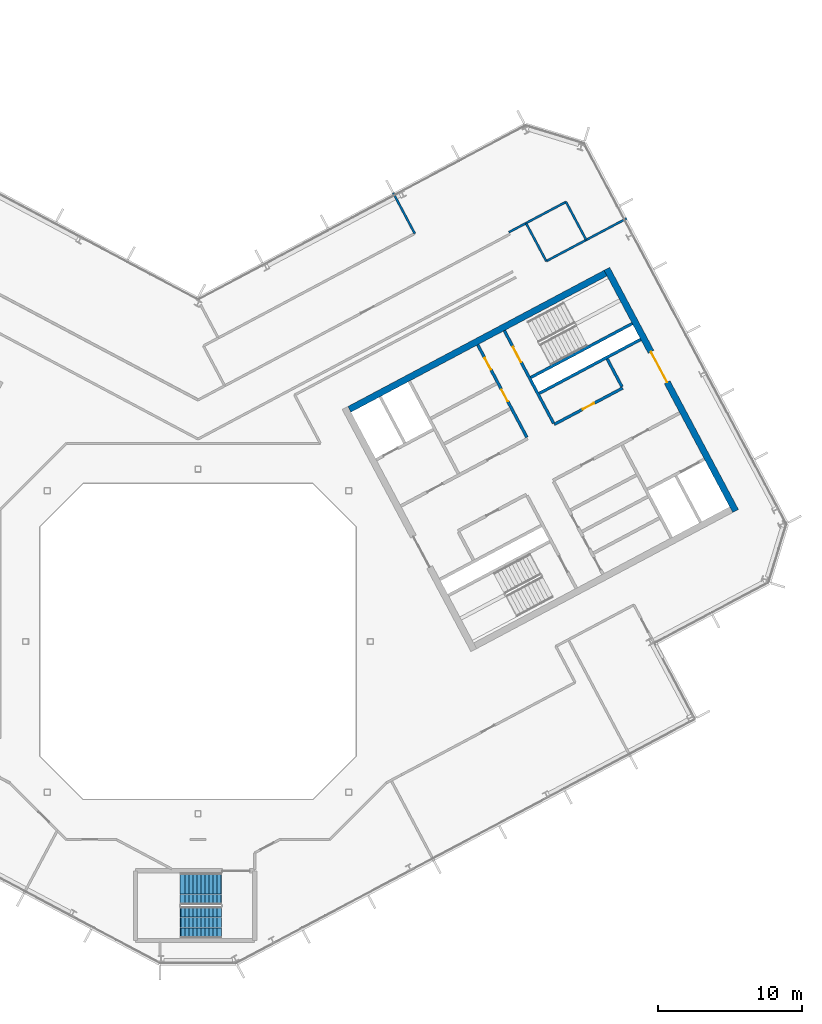
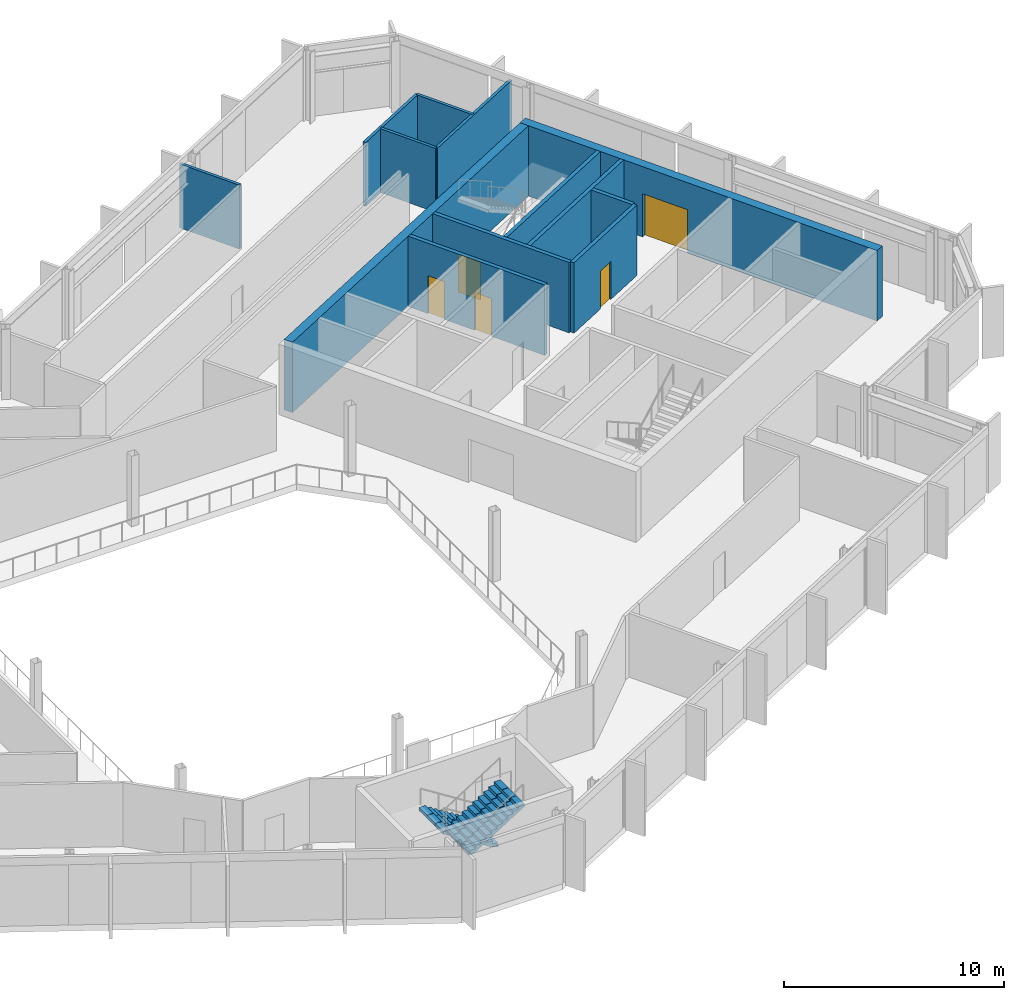
# One storey, part 17 of 26: 13 walls, 5 doors, 2 stair flights, 5 openings, 1 element without a shape of its own.
"""IFC4 building model written with IfcOpenShell, lengths in metres."""

from ifc_helpers import new_model, si_unit, direction, frame, frame_2d, origin, place, context, subcontext, project, spatial, polyline, rectangle, outline, extrude, material, layer, layer_set, type_object, element, fill, aggregate, save


model = new_model("IFC4")

# Units and contexts
model_context = context("Model", 3, precision=1e-05, world=origin(), true_north=direction((0.0, 1.0)))
body_context = subcontext(model_context, "Body", "Model", "MODEL_VIEW")
ifc_project = project(units=[si_unit("LENGTHUNIT", "METRE"), si_unit("AREAUNIT", "SQUARE_METRE"), si_unit("VOLUMEUNIT", "CUBIC_METRE"), si_unit("PLANEANGLEUNIT", "RADIAN"), si_unit("MASSUNIT", "GRAM", prefix="KILO")], contexts=[model_context])

# Site, building, storey
site_placement = place(None, origin())
site = spatial("IfcSite", under=ifc_project, at=site_placement, CompositionType="ELEMENT")
building_placement = place(site_placement, origin())
building = spatial("IfcBuilding", under=site, at=building_placement, Name="Cormorant Relay Tower", CompositionType="ELEMENT")
storey_placement = place(building_placement, frame((0.0, 0.0, 285.300048828125)))
storey = spatial("IfcBuildingStorey", under=building, at=storey_placement, Name="L64", CompositionType="ELEMENT", Elevation=285.300048828125)

# Wall, openings, doors
ifc_material_1 = material(Name="Concrete 50 MPa", Category="concrete")
ifc_layer_1 = layer(ifc_material_1, 0.199951171875)
ifc_layer_set_1 = layer_set([ifc_layer_1], Name="Core shaft wall 200")
wall_type_1 = type_object("IfcWallType", Name="Core shaft wall 200", PredefinedType="SHEAR", material=ifc_layer_set_1)
wall_1_placement = place(storey_placement, frame((22.90625, 14.218017578125, 0.0), z_axis=(0.0, 0.0, 1.0), x_axis=(-0.469480409012, 0.88294288918, 0.0)))
wall_1 = element("IfcWall", 1, at=wall_1_placement, inside=storey, type_object=wall_type_1, Name="L64 core B shaft wall", PredefinedType="SHEAR", context=body_context, shape_type="SweptSolid", body=[
    extrude(rectangle(XDim=7.300048828125, YDim=0.199951171875, at=frame_2d((3.64990234375, 0.0))), origin(), (0.0, 0.0, 1.0), 3.89990234375),
])
opening_1_placement = place(wall_1_placement, frame((2.85009765625, 0.0, 0.0)))
opening_1 = element("IfcOpeningElement", 2, at=opening_1_placement, cuts=wall_1, Name="Opening CDD-299", PredefinedType="OPENING", context=body_context, shape_type="SweptSolid", body=[
    extrude(rectangle(XDim=0.89990234375, YDim=2.10009765625, at=frame_2d((0.449951171875, 1.050048828125))), frame((0.0, 0.10986328125, 0.0), z_axis=(0.0, -1.0, 0.0), x_axis=(1.0, 0.0, 0.0)), (0.0, 0.0, 1.0), 0.219970703125),
])
opening_2_placement = place(wall_1_placement, frame((5.35009765625, 0.0, 0.0)))
opening_2 = element("IfcOpeningElement", 3, at=opening_2_placement, cuts=wall_1, Name="Opening CDD-333", PredefinedType="OPENING", context=body_context, shape_type="SweptSolid", body=[
    extrude(rectangle(XDim=0.89990234375, YDim=2.10009765625, at=frame_2d((0.449951171875, 1.050048828125))), frame((0.0, 0.10986328125, 0.0), z_axis=(0.0, -1.0, 0.0), x_axis=(1.0, 0.0, 0.0)), (0.0, 0.0, 1.0), 0.219970703125),
])
ifc_material_2 = material(Name="Steel fire door", Category="steel")
door_type_1 = type_object("IfcDoorType", Name="Core room door 900x2100", OperationType="SINGLE_SWING_LEFT", PredefinedType="DOOR", material=ifc_material_2)
door_1_placement = place(opening_1_placement, origin())
door_1 = element("IfcDoor", 4, at=door_1_placement, inside=storey, type_object=door_type_1, Name="Core room door 900x2100", OperationType="SINGLE_SWING_RIGHT", OverallHeight=2.10009765625, OverallWidth=0.89990234375, PredefinedType="DOOR", context=body_context, shape_type="SweptSolid", body=[
    extrude(rectangle(XDim=0.89990234375, YDim=2.10009765625, at=frame_2d((0.449951171875, 1.050048828125))), frame((0.0, 0.02490234375, 0.0), z_axis=(0.0, -1.0, 0.0), x_axis=(1.0, 0.0, 0.0)), (0.0, 0.0, 1.0), 0.050048828125),
])
fill(opening_1, door_1)
door_2_placement = place(opening_2_placement, origin())
door_2 = element("IfcDoor", 5, at=door_2_placement, inside=storey, type_object=door_type_1, Name="Core room door 900x2100", OperationType="SINGLE_SWING_LEFT", OverallHeight=2.10009765625, OverallWidth=0.89990234375, PredefinedType="DOOR", context=body_context, shape_type="SweptSolid", body=[
    extrude(rectangle(XDim=0.89990234375, YDim=2.10009765625, at=frame_2d((0.449951171875, 1.050048828125))), frame((0.0, 0.02490234375, 0.0), z_axis=(0.0, -1.0, 0.0), x_axis=(1.0, 0.0, 0.0)), (0.0, 0.0, 1.0), 0.050048828125),
])
fill(opening_2, door_2)

# Wall, opening, door
wall_2_placement = place(storey_placement, frame((24.760498046875, 15.2041015625, 0.0), z_axis=(0.0, 0.0, 1.0), x_axis=(-0.469494272526, 0.882935517501, 0.0)))
wall_2 = element("IfcWall", 6, at=wall_2_placement, inside=storey, type_object=wall_type_1, Name="L64 core B shaft wall", PredefinedType="SHEAR", context=body_context, shape_type="SweptSolid", body=[
    extrude(rectangle(XDim=7.2998046875, YDim=0.199951171875, at=frame_2d((3.64990234375, 0.0))), origin(), (0.0, 0.0, 1.0), 3.89990234375),
])
opening_3_placement = place(wall_2_placement, frame((4.800048828125, 0.0, 0.0)))
opening_3 = element("IfcOpeningElement", 7, at=opening_3_placement, cuts=wall_2, Name="Opening CDB-041", PredefinedType="OPENING", context=body_context, shape_type="SweptSolid", body=[
    extrude(rectangle(XDim=1.199951171875, YDim=2.10009765625, at=frame_2d((0.60009765625, 1.050048828125))), frame((0.0, 0.10986328125, 0.0), z_axis=(0.0, -1.0, 0.0), x_axis=(1.0, 0.0, 0.0)), (0.0, 0.0, 1.0), 0.219970703125),
])
ifc_material_3 = material(Name="Steel fire door", Category="steel")
door_type_2 = type_object("IfcDoorType", Name="Core stair door 1200x2100", OperationType="SINGLE_SWING_LEFT", PredefinedType="DOOR", material=ifc_material_3)
door_3_placement = place(opening_3_placement, frame((1.199951171875, 0.0, 0.0), z_axis=(0.0, 0.0, 1.0), x_axis=(-1.0, 0.0, 0.0)))
door_3 = element("IfcDoor", 8, at=door_3_placement, inside=storey, type_object=door_type_2, Name="Core stair door 1200x2100", OperationType="SINGLE_SWING_RIGHT", OverallHeight=2.10009765625, OverallWidth=1.199951171875, PredefinedType="DOOR", context=body_context, shape_type="SweptSolid", body=[
    extrude(rectangle(XDim=1.199951171875, YDim=2.10009765625, at=frame_2d((0.60009765625, 1.050048828125))), frame((0.0, 0.02490234375, 0.0), z_axis=(0.0, -1.0, 0.0), x_axis=(1.0, 0.0, 0.0)), (0.0, 0.0, 1.0), 0.050048828125),
])
fill(opening_3, door_3)

# Wall
wall_3_placement = place(storey_placement, frame((29.5283203125, 17.739013671875, 0.0), z_axis=(0.0, 0.0, 1.0), x_axis=(-0.469401318492, 0.882984938828, 0.0)))
element("IfcWall", 9, at=wall_3_placement, inside=storey, type_object=wall_type_1, Name="L64 core B shaft wall", PredefinedType="SHEAR", context=body_context, shape_type="SweptSolid", body=[
    extrude(rectangle(XDim=2.199951171875, YDim=0.199951171875, at=frame_2d((1.10009765625, 0.0))), origin(), (0.0, 0.0, 1.0), 3.89990234375),
])

# Wall, opening, door
wall_4_placement = place(storey_placement, frame((24.807373046875, 15.11572265625, 0.0), z_axis=(0.0, 0.0, 1.0), x_axis=(0.882942972946, 0.469480251476, 0.0)))
wall_4 = element("IfcWall", 10, at=wall_4_placement, inside=storey, type_object=wall_type_1, Name="L64 core B shaft wall", PredefinedType="SHEAR", context=body_context, shape_type="SweptSolid", body=[
    extrude(rectangle(XDim=5.39990234375, YDim=0.199951171875, at=frame_2d((2.699951171875, 0.0))), origin(), (0.0, 0.0, 1.0), 3.89990234375),
])
opening_4_placement = place(wall_4_placement, frame((2.25, 0.0, 0.0)))
opening_4 = element("IfcOpeningElement", 11, at=opening_4_placement, cuts=wall_4, Name="Opening CDD-261", PredefinedType="OPENING", context=body_context, shape_type="SweptSolid", body=[
    extrude(rectangle(XDim=0.89990234375, YDim=2.10009765625, at=frame_2d((0.449951171875, 1.050048828125))), frame((0.0, 0.10986328125, 0.0), z_axis=(0.0, -1.0, 0.0), x_axis=(1.0, 0.0, 0.0)), (0.0, 0.0, 1.0), 0.219970703125),
])
door_4_placement = place(opening_4_placement, origin())
door_4 = element("IfcDoor", 12, at=door_4_placement, inside=storey, type_object=door_type_1, Name="Core room door 900x2100", OperationType="SINGLE_SWING_LEFT", OverallHeight=2.10009765625, OverallWidth=0.89990234375, PredefinedType="DOOR", context=body_context, shape_type="SweptSolid", body=[
    extrude(rectangle(XDim=0.89990234375, YDim=2.10009765625, at=frame_2d((0.449951171875, 1.050048828125))), frame((0.0, 0.02490234375, 0.0), z_axis=(0.0, -1.0, 0.0), x_axis=(1.0, 0.0, 0.0)), (0.0, 0.0, 1.0), 0.050048828125),
])
fill(opening_4, door_4)

# Walls
wall_5_placement = place(storey_placement, frame((23.76904296875, 17.28173828125, 0.0), z_axis=(0.0, 0.0, 1.0), x_axis=(0.882940221191, 0.469485426614, 0.0)))
element("IfcWall", 13, at=wall_5_placement, inside=storey, type_object=wall_type_1, Name="L64 core B shaft wall", PredefinedType="SHEAR", context=body_context, shape_type="SweptSolid", body=[
    extrude(rectangle(XDim=8.0, YDim=0.199951171875, at=frame_2d((4.0, 0.0))), origin(), (0.0, 0.0, 1.0), 3.89990234375),
])
wall_6_placement = place(storey_placement, frame((23.18212890625, 18.385498046875, 0.0), z_axis=(0.0, 0.0, 1.0), x_axis=(0.88295287151, 0.469461634952, 0.0)))
element("IfcWall", 14, at=wall_6_placement, inside=storey, type_object=wall_type_1, Name="L64 core B shaft wall", PredefinedType="SHEAR", context=body_context, shape_type="SweptSolid", body=[
    extrude(rectangle(XDim=7.999755859375, YDim=0.199951171875, at=frame_2d((4.0, 0.0))), origin(), (0.0, 0.0, 1.0), 3.89990234375),
])

# Wall, opening, door
ifc_material_4 = material(Name="Concrete 50 MPa", Category="concrete")
ifc_layer_2 = layer(ifc_material_4, 0.449951171875)
ifc_layer_set_2 = layer_set([ifc_layer_2], Name="Core wall 450")
wall_type_2 = type_object("IfcWallType", Name="Core wall 450", PredefinedType="SHEAR", material=ifc_layer_set_2)
wall_7_placement = place(storey_placement, frame((37.439453125, 9.0908203125, 0.0), z_axis=(0.0, 0.0, 1.0), x_axis=(-0.469467968382, 0.882949504028, 0.0)))
wall_7 = element("IfcWall", 15, at=wall_7_placement, inside=storey, type_object=wall_type_2, Name="L64 core B wall", PredefinedType="SHEAR", context=body_context, shape_type="SweptSolid", body=[
    extrude(rectangle(XDim=19.099853515625, YDim=0.449951171875, at=frame_2d((9.5498046875, 0.0))), origin(), (0.0, 0.0, 1.0), 3.89990234375),
])
opening_5_placement = place(wall_7_placement, frame((10.14990234375, 0.0, 0.0)))
opening_5 = element("IfcOpeningElement", 16, at=opening_5_placement, cuts=wall_7, Name="Opening CDA-053", PredefinedType="OPENING", context=body_context, shape_type="SweptSolid", body=[
    extrude(rectangle(XDim=2.39990234375, YDim=2.39990234375, at=frame_2d((1.199951171875, 1.199951171875))), frame((0.0, 0.23486328125, 0.0), z_axis=(0.0, -1.0, 0.0), x_axis=(1.0, 0.0, 0.0)), (0.0, 0.0, 1.0), 0.469970703125),
])
ifc_material_5 = material(Name="Steel fire door", Category="steel")
door_type_3 = type_object("IfcDoorType", Name="Core lobby door 2400x2400", OperationType="DOUBLE_DOOR_SINGLE_SWING", PredefinedType="DOOR", material=ifc_material_5)
door_5_placement = place(opening_5_placement, origin())
door_5 = element("IfcDoor", 17, at=door_5_placement, inside=storey, type_object=door_type_3, Name="Core lobby door 2400x2400", OperationType="DOUBLE_DOOR_SINGLE_SWING", OverallHeight=2.39990234375, OverallWidth=2.39990234375, PredefinedType="DOOR", context=body_context, shape_type="SweptSolid", body=[
    extrude(rectangle(XDim=2.39990234375, YDim=2.39990234375, at=frame_2d((1.199951171875, 1.199951171875))), frame((0.0, 0.02490234375, 0.0), z_axis=(0.0, -1.0, 0.0), x_axis=(1.0, 0.0, 0.0)), (0.0, 0.0, 1.0), 0.050048828125),
])
fill(opening_5, door_5)

# Walls
wall_8_placement = place(storey_placement, frame((10.5439453125, 16.16748046875, 0.0), z_axis=(0.0, 0.0, 1.0), x_axis=(0.882947755831, 0.46947125628, 0.0)))
element("IfcWall", 18, at=wall_8_placement, inside=storey, type_object=wall_type_2, Name="L64 core B wall", PredefinedType="SHEAR", context=body_context, shape_type="SweptSolid", body=[
    extrude(rectangle(XDim=20.2001953125, YDim=0.449951171875, at=frame_2d((10.10009765625, 0.0))), origin(), (0.0, 0.0, 1.0), 3.89990234375),
])
ifc_material_6 = material(Name="Gypsum board fire partition")
ifc_layer_3 = layer(ifc_material_6, 0.14990234375)
ifc_layer_set_3 = layer_set([ifc_layer_3], Name="Corridor partition 150 EI 60")
wall_type_3 = type_object("IfcWallType", Name="Corridor partition 150 EI 60", PredefinedType="PARTITIONING", material=ifc_layer_set_3)
wall_9_placement = place(storey_placement, frame((22.85693359375, 29.114013671875, 0.0), z_axis=(0.0, 0.0, 1.0), x_axis=(0.469523155086, -0.882920158813, 0.0)))
element("IfcWall", 19, at=wall_9_placement, inside=storey, type_object=wall_type_3, Name="wall/L64/part/065", PredefinedType="PARTITIONING", context=body_context, shape_type="SweptSolid", body=[
    extrude(rectangle(XDim=2.975341796875, YDim=0.14990234375, at=frame_2d((1.48779296875, 0.0))), origin(), (0.0, 0.0, 1.0), 3.5400390625),
])
wall_10_placement = place(storey_placement, frame((24.25390625, 26.487060546875, 0.0), z_axis=(0.0, 0.0, 1.0), x_axis=(0.882975806835, 0.469418496167, 0.0)))
element("IfcWall", 20, at=wall_10_placement, inside=storey, type_object=wall_type_3, Name="wall/L64/part/066", PredefinedType="PARTITIONING", context=body_context, shape_type="SweptSolid", body=[
    extrude(rectangle(XDim=6.350341796875, YDim=0.14990234375, at=frame_2d((3.17529296875, 0.0))), origin(), (0.0, 0.0, 1.0), 3.5400390625),
])
ifc_material_7 = material(Name="Gypsum board partition")
ifc_layer_4 = layer(ifc_material_7, 0.14990234375)
ifc_layer_set_4 = layer_set([ifc_layer_4], Name="Tenant partition 150")
wall_type_4 = type_object("IfcWallType", Name="Tenant partition 150", PredefinedType="PARTITIONING", material=ifc_layer_set_4)
wall_11_placement = place(storey_placement, frame((15.094970703125, 28.412109375, 0.0), z_axis=(0.0, 0.0, 1.0), x_axis=(-0.469320691295, 0.883027796121, 0.0)))
element("IfcWall", 21, at=wall_11_placement, inside=storey, type_object=wall_type_4, Name="wall/L64/part/055", PredefinedType="PARTITIONING", context=body_context, shape_type="SweptSolid", body=[
    extrude(rectangle(XDim=3.2001953125, YDim=0.14990234375, at=frame_2d((1.60009765625, 0.0))), origin(), (0.0, 0.0, 1.0), 3.5400390625),
])
wall_12_placement = place(storey_placement, frame((27.034912109375, 27.966064453125, 0.0), z_axis=(0.0, 0.0, 1.0), x_axis=(-0.469341661158, 0.883016650523, 0.0)))
element("IfcWall", 22, at=wall_12_placement, inside=storey, type_object=wall_type_4, Name="wall/L64/part/067", PredefinedType="PARTITIONING", context=body_context, shape_type="SweptSolid", body=[
    extrude(rectangle(XDim=2.999755859375, YDim=0.14990234375, at=frame_2d((1.5, 0.0))), origin(), (0.0, 0.0, 1.0), 3.5400390625),
])
wall_13_placement = place(storey_placement, frame((25.626953125, 30.614990234375, 0.0), z_axis=(0.0, 0.0, 1.0), x_axis=(-0.882933661484, -0.469497762954, 0.0)))
element("IfcWall", 23, at=wall_13_placement, inside=storey, type_object=wall_type_4, Name="wall/L64/part/068", PredefinedType="PARTITIONING", context=body_context, shape_type="SweptSolid", body=[
    extrude(rectangle(XDim=4.49853515625, YDim=0.14990234375, at=frame_2d((2.249267578125, 0.0))), origin(), (0.0, 0.0, 1.0), 3.5400390625),
])

# Stair, stair flights
ifc_material_8 = material(Name="Concrete 40 MPa", Category="concrete")
stair_type = type_object("IfcStairType", Name="Remote exit stair 2200", PredefinedType="HALF_TURN_STAIR", material=ifc_material_8)
stair_placement = place(storey_placement, origin())
stair = element("IfcStair", 24, at=stair_placement, inside=storey, type_object=stair_type, Name="L64 Stair", PredefinedType="HALF_TURN_STAIR")
ifc_material_9 = material(Name="Concrete 40 MPa", Category="concrete")
stair_flight_type = type_object("IfcStairFlightType", Name="Remote exit stair flight 2200", PredefinedType="STRAIGHT", material=ifc_material_9)
stair_flight_1_placement = place(storey_placement, frame((1.60009765625, -17.22509765625, 0.0), z_axis=(0.0, 0.0, 1.0), x_axis=(-1.0, 0.0, 0.0)))
stair_flight_1 = element("IfcStairFlight", 25, at=stair_flight_1_placement, type_object=stair_flight_type, Name="RK1 flight 1", NumberOfRisers=11, NumberOfTreads=10, PredefinedType="STRAIGHT", RiserHeight=0.177272727, TreadLength=0.28, context=body_context, shape_type="SweptSolid", body=[
    extrude(outline(polyline([(-0.050048828125, -0.080078125), (-0.050048828125, 0.0), (0.0, 0.0), (0.0, 0.17724609375), (0.280029296875, 0.17724609375), (0.280029296875, 0.3544921875), (0.56005859375, 0.3544921875), (0.56005859375, 0.53173828125), (0.840087890625, 0.53173828125), (0.840087890625, 0.708984375), (1.1201171875, 0.708984375), (1.1201171875, 0.886474609375), (1.39990234375, 0.886474609375), (1.39990234375, 1.063720703125), (1.679931640625, 1.063720703125), (1.679931640625, 1.240966796875), (1.9599609375, 1.240966796875), (1.9599609375, 1.418212890625), (2.239990234375, 1.418212890625), (2.239990234375, 1.595458984375), (2.52001953125, 1.595458984375), (2.52001953125, 1.772705078125), (2.800048828125, 1.772705078125), (2.85009765625, 1.772705078125), (2.85009765625, 1.59521484375), (2.800048828125, 1.59521484375), (0.2802734375, 0.0), (-0.050048828125, -0.080078125)])), frame((0.0, 1.10009765625, 0.0), z_axis=(0.0, -1.0, 0.0), x_axis=(1.0, 0.0, 0.0)), (0.0, 0.0, 1.0), 0.719970703125),
    extrude(outline(polyline([(-0.050048828125, -0.080078125), (-0.050048828125, 0.0), (0.0, 0.0), (0.0, 0.17724609375), (0.280029296875, 0.17724609375), (0.280029296875, 0.3544921875), (0.56005859375, 0.3544921875), (0.56005859375, 0.53173828125), (0.840087890625, 0.53173828125), (0.840087890625, 0.708984375), (1.1201171875, 0.708984375), (1.1201171875, 0.886474609375), (1.39990234375, 0.886474609375), (1.39990234375, 1.063720703125), (1.679931640625, 1.063720703125), (1.679931640625, 1.240966796875), (1.9599609375, 1.240966796875), (1.9599609375, 1.418212890625), (2.239990234375, 1.418212890625), (2.239990234375, 1.595458984375), (2.52001953125, 1.595458984375), (2.52001953125, 1.772705078125), (2.800048828125, 1.772705078125), (2.85009765625, 1.772705078125), (2.85009765625, 1.59521484375), (2.800048828125, 1.59521484375), (0.2802734375, 0.0), (-0.050048828125, -0.080078125)])), frame((0.0, 0.360107421875, 0.0), z_axis=(0.0, -1.0, 0.0), x_axis=(1.0, 0.0, 0.0)), (0.0, 0.0, 1.0), 0.719970703125),
    extrude(outline(polyline([(-0.050048828125, -0.080078125), (-0.050048828125, 0.0), (0.0, 0.0), (0.0, 0.17724609375), (0.280029296875, 0.17724609375), (0.280029296875, 0.3544921875), (0.56005859375, 0.3544921875), (0.56005859375, 0.53173828125), (0.840087890625, 0.53173828125), (0.840087890625, 0.708984375), (1.1201171875, 0.708984375), (1.1201171875, 0.886474609375), (1.39990234375, 0.886474609375), (1.39990234375, 1.063720703125), (1.679931640625, 1.063720703125), (1.679931640625, 1.240966796875), (1.9599609375, 1.240966796875), (1.9599609375, 1.418212890625), (2.239990234375, 1.418212890625), (2.239990234375, 1.595458984375), (2.52001953125, 1.595458984375), (2.52001953125, 1.772705078125), (2.800048828125, 1.772705078125), (2.85009765625, 1.772705078125), (2.85009765625, 1.59521484375), (2.800048828125, 1.59521484375), (0.2802734375, 0.0), (-0.050048828125, -0.080078125)])), frame((0.0, -0.3798828125, 0.0), z_axis=(0.0, -1.0, 0.0), x_axis=(1.0, 0.0, 0.0)), (0.0, 0.0, 1.0), 0.719970703125),
])
stair_flight_2_placement = place(storey_placement, frame((-1.199951171875, -19.574951171875, 1.949951171875), z_axis=(0.0, 0.0, 1.0), x_axis=(1.0, 0.0, 0.0)))
stair_flight_2 = element("IfcStairFlight", 26, at=stair_flight_2_placement, type_object=stair_flight_type, Name="RK1 flight 2", NumberOfRisers=11, NumberOfTreads=10, PredefinedType="STRAIGHT", RiserHeight=0.177272727, TreadLength=0.28, context=body_context, shape_type="SweptSolid", body=[
    extrude(outline(polyline([(-0.050048828125, -0.080078125), (-0.050048828125, 0.0), (0.0, 0.0), (0.0, 0.17724609375), (0.280029296875, 0.17724609375), (0.280029296875, 0.3544921875), (0.56005859375, 0.3544921875), (0.56005859375, 0.53173828125), (0.840087890625, 0.53173828125), (0.840087890625, 0.708984375), (1.1201171875, 0.708984375), (1.1201171875, 0.886474609375), (1.39990234375, 0.886474609375), (1.39990234375, 1.063720703125), (1.679931640625, 1.063720703125), (1.679931640625, 1.240966796875), (1.9599609375, 1.240966796875), (1.9599609375, 1.418212890625), (2.239990234375, 1.418212890625), (2.239990234375, 1.595458984375), (2.52001953125, 1.595458984375), (2.52001953125, 1.772705078125), (2.800048828125, 1.772705078125), (2.85009765625, 1.772705078125), (2.85009765625, 1.59521484375), (2.800048828125, 1.59521484375), (0.2802734375, 0.0), (-0.050048828125, -0.080078125)])), frame((0.0, 1.10009765625, 0.0), z_axis=(0.0, -1.0, 0.0), x_axis=(1.0, 0.0, 0.0)), (0.0, 0.0, 1.0), 0.719970703125),
    extrude(outline(polyline([(-0.050048828125, -0.080078125), (-0.050048828125, 0.0), (0.0, 0.0), (0.0, 0.17724609375), (0.280029296875, 0.17724609375), (0.280029296875, 0.3544921875), (0.56005859375, 0.3544921875), (0.56005859375, 0.53173828125), (0.840087890625, 0.53173828125), (0.840087890625, 0.708984375), (1.1201171875, 0.708984375), (1.1201171875, 0.886474609375), (1.39990234375, 0.886474609375), (1.39990234375, 1.063720703125), (1.679931640625, 1.063720703125), (1.679931640625, 1.240966796875), (1.9599609375, 1.240966796875), (1.9599609375, 1.418212890625), (2.239990234375, 1.418212890625), (2.239990234375, 1.595458984375), (2.52001953125, 1.595458984375), (2.52001953125, 1.772705078125), (2.800048828125, 1.772705078125), (2.85009765625, 1.772705078125), (2.85009765625, 1.59521484375), (2.800048828125, 1.59521484375), (0.2802734375, 0.0), (-0.050048828125, -0.080078125)])), frame((0.0, 0.360107421875, 0.0), z_axis=(0.0, -1.0, 0.0), x_axis=(1.0, 0.0, 0.0)), (0.0, 0.0, 1.0), 0.719970703125),
    extrude(outline(polyline([(-0.050048828125, -0.080078125), (-0.050048828125, 0.0), (0.0, 0.0), (0.0, 0.17724609375), (0.280029296875, 0.17724609375), (0.280029296875, 0.3544921875), (0.56005859375, 0.3544921875), (0.56005859375, 0.53173828125), (0.840087890625, 0.53173828125), (0.840087890625, 0.708984375), (1.1201171875, 0.708984375), (1.1201171875, 0.886474609375), (1.39990234375, 0.886474609375), (1.39990234375, 1.063720703125), (1.679931640625, 1.063720703125), (1.679931640625, 1.240966796875), (1.9599609375, 1.240966796875), (1.9599609375, 1.418212890625), (2.239990234375, 1.418212890625), (2.239990234375, 1.595458984375), (2.52001953125, 1.595458984375), (2.52001953125, 1.772705078125), (2.800048828125, 1.772705078125), (2.85009765625, 1.772705078125), (2.85009765625, 1.59521484375), (2.800048828125, 1.59521484375), (0.2802734375, 0.0), (-0.050048828125, -0.080078125)])), frame((0.0, -0.3798828125, 0.0), z_axis=(0.0, -1.0, 0.0), x_axis=(1.0, 0.0, 0.0)), (0.0, 0.0, 1.0), 0.719970703125),
])
aggregate(stair, [stair_flight_1, stair_flight_2])

save(model, "model.ifc")
